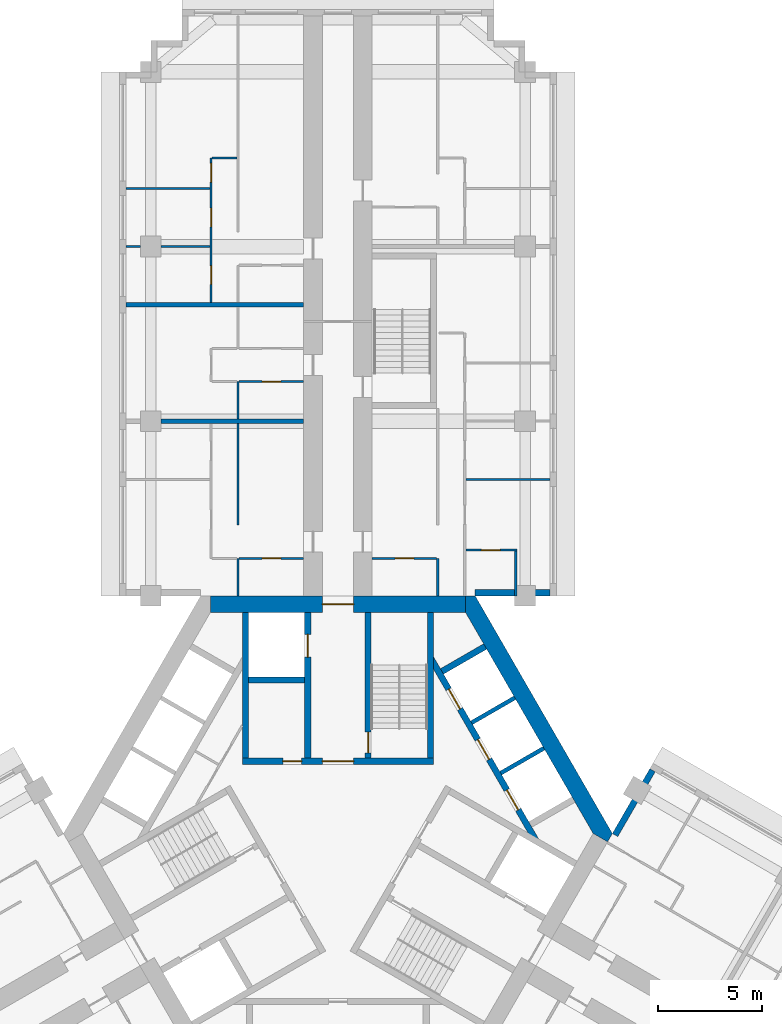
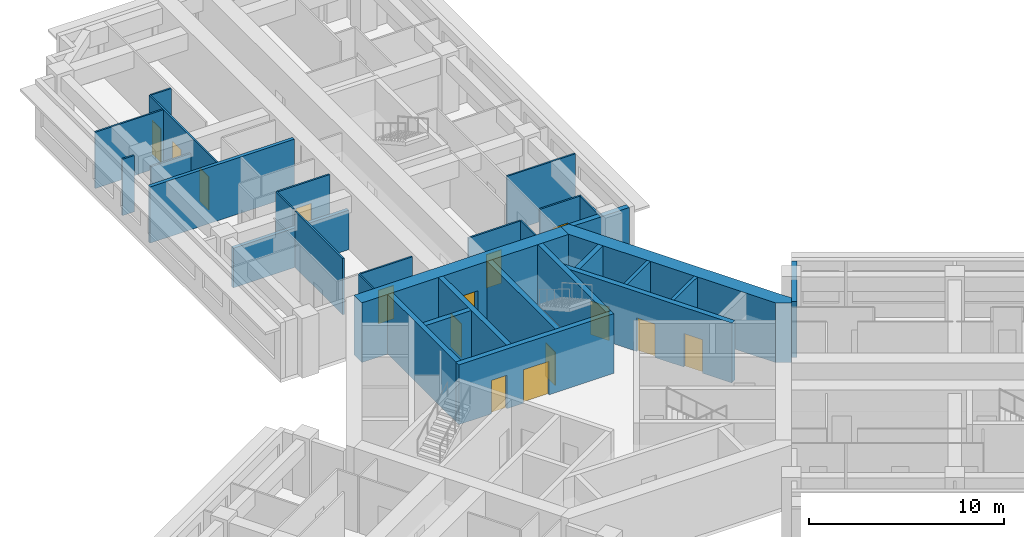
# One storey, part 8 of 13: 31 walls, 15 doors, 15 openings.
"""IFC4 building model written with IfcOpenShell, lengths in metres."""

import ifcopenshell
import ifcopenshell.guid

model = None  # the IFC model being written
_history = None  # IfcOwnerHistory: only IFC2X3 demands one
_inside = {}  # id of a spatial element -> (the spatial element, [elements in it])
_under = {}  # id of a project, library or spatial element -> (it, [spatial elements below it])
_declared = {}  # id of a project -> (the project, [libraries it declares])
_typed = {}  # id of a type object -> (the type object, [elements of that type])
_made_of = {}  # id of a material, layer set ... -> (it, [elements and type objects made of it])


def new_model(schema):
    """Start an empty IFC model of exactly this schema.

    Asked for "IFC4X3", IfcOpenShell would pick the latest addendum, in which some entities
    have other attributes; the version numbers below select the first issue.
    IFC2X3 requires an IfcOwnerHistory on every rooted entity: one is made here for all.
    """
    global model, _history
    if schema == "IFC4X3":
        model = ifcopenshell.file(schema_version=(4, 3, 0, 0))
    else:
        model = ifcopenshell.file(schema=schema)
    _inside.clear()
    _under.clear()
    _declared.clear()
    _typed.clear()
    _made_of.clear()
    _history = None
    if model.schema == "IFC2X3":
        org = make("IfcOrganization", Name="unknown")
        user = make(
            "IfcPersonAndOrganization",
            ThePerson=make("IfcPerson", FamilyName="unknown"),
            TheOrganization=org,
        )
        app = make(
            "IfcApplication",
            ApplicationDeveloper=org,
            Version="unknown",
            ApplicationFullName="unknown",
            ApplicationIdentifier="unknown",
        )
        _history = make(
            "IfcOwnerHistory",
            OwningUser=user,
            OwningApplication=app,
            ChangeAction="ADDED",
            CreationDate=0,
        )
    return model


def make(cls, **values):
    """One entity of the class cls with the attributes given. An attribute that is None is left unset."""
    return model.create_entity(
        cls, **{name: value for name, value in values.items() if value is not None}
    )


def rooted(cls, **values):
    """An entity with a GlobalId (a new one), such as an element, a storey or a relation."""
    return make(cls, GlobalId=ifcopenshell.guid.new(), OwnerHistory=_history, **values)


def si_unit(unit_type, name, prefix=None):
    """IfcSIUnit, for example si_unit("LENGTHUNIT", "METRE", prefix="MILLI")."""
    return make("IfcSIUnit", UnitType=unit_type, Prefix=prefix, Name=name)


def assignment(units):
    """IfcUnitAssignment: the units of a project."""
    return None if units is None else make("IfcUnitAssignment", Units=units)


def point(xyz):
    """IfcCartesianPoint."""
    return None if xyz is None else make("IfcCartesianPoint", Coordinates=xyz)


def direction(xyz):
    """IfcDirection."""
    return None if xyz is None else make("IfcDirection", DirectionRatios=xyz)


def frame(location, z_axis=None, x_axis=None):
    """IfcAxis2Placement3D, a coordinate frame: its origin and axes. An axis left out is left unset."""
    return make(
        "IfcAxis2Placement3D",
        Location=point(location),
        Axis=direction(z_axis),
        RefDirection=direction(x_axis),
    )


def frame_2d(location, x_axis=None):
    """IfcAxis2Placement2D, a coordinate frame in the plane: its origin and x axis."""
    return make(
        "IfcAxis2Placement2D", Location=point(location), RefDirection=direction(x_axis)
    )


def origin():
    """The frame at (0, 0, 0) with its axes left unset."""
    return frame((0.0, 0.0, 0.0))


def place(relative_to, where):
    """IfcLocalPlacement: puts the frame where relative to a parent placement (None: the world)."""
    return make(
        "IfcLocalPlacement", PlacementRelTo=relative_to, RelativePlacement=where
    )


def context(
    kind, dimensions, precision=None, world=None, true_north=None, identifier=None
):
    """IfcGeometricRepresentationContext, for example the 3D "Model" context."""
    return make(
        "IfcGeometricRepresentationContext",
        ContextIdentifier=identifier,
        ContextType=kind,
        CoordinateSpaceDimension=dimensions,
        Precision=precision,
        WorldCoordinateSystem=world,
        TrueNorth=true_north,
    )


def subcontext(parent, identifier, kind, view, scale=None):
    """IfcGeometricRepresentationSubContext, for example "Body" below "Model"."""
    return make(
        "IfcGeometricRepresentationSubContext",
        ContextIdentifier=identifier,
        ContextType=kind,
        ParentContext=parent,
        TargetScale=scale,
        TargetView=view,
    )


def project(units=None, contexts=None):
    """IfcProject with its units and contexts."""
    return rooted(
        "IfcProject",
        Name="project",
        RepresentationContexts=contexts,
        UnitsInContext=assignment(units),
    )


def spatial(cls, under=None, at=None, **own):
    """A site, building, storey or space (cls), placed at a placement, below another one or the project."""
    s = rooted(cls, ObjectPlacement=at, **own)
    if under is not None:
        _under.setdefault(under.id(), (under, []))[1].append(s)
    return s


def polyline(points):
    """IfcPolyline through the points."""
    return make("IfcPolyline", Points=[point(p) for p in points])


def profile(cls, at=None, kind="AREA", **sizes):
    """A parametric profile (cls). Its sizes go by their IFC names, for example OverallWidth=200.0."""
    return make(cls, ProfileType=kind, Position=at, **sizes)


def rectangle(**sizes):
    """IfcRectangleProfileDef."""
    return profile("IfcRectangleProfileDef", **sizes)


def outline(outer, holes=None, kind="AREA"):
    """IfcArbitraryClosedProfileDef: a profile drawn as a closed curve; with holes, ...WithVoids."""
    if holes is None:
        return make("IfcArbitraryClosedProfileDef", ProfileType=kind, OuterCurve=outer)
    return make(
        "IfcArbitraryProfileDefWithVoids",
        ProfileType=kind,
        OuterCurve=outer,
        InnerCurves=holes,
    )


def extrude(swept, where, along, depth):
    """IfcExtrudedAreaSolid: the profile swept, set in the frame where, extruded along a direction by depth."""
    return make(
        "IfcExtrudedAreaSolid",
        SweptArea=swept,
        Position=where,
        ExtrudedDirection=direction(along),
        Depth=depth,
    )


def shape(context_of_items, identifier, shape_type, items):
    """IfcShapeRepresentation: the items that make up one representation, for example the "Body"."""
    return make(
        "IfcShapeRepresentation",
        ContextOfItems=context_of_items,
        RepresentationIdentifier=identifier,
        RepresentationType=shape_type,
        Items=items,
    )


def material(Name=None, Category=None):
    """IfcMaterial."""
    return make("IfcMaterial", Name=Name, Category=Category)


def layer(
    of_material, thickness, ventilated=None, Name=None, Category=None, Priority=None
):
    """IfcMaterialLayer: one layer of a wall or slab, of a material (None: an air gap)."""
    return make(
        "IfcMaterialLayer",
        Material=of_material,
        LayerThickness=thickness,
        IsVentilated=ventilated,
        Name=Name,
        Category=Category,
        Priority=Priority,
    )


def layer_set(layers, Name=None):
    """IfcMaterialLayerSet."""
    return make("IfcMaterialLayerSet", MaterialLayers=layers, LayerSetName=Name)


def made_of(thing, what):
    """Note that an element or type object is made of a material, layer set ...; save() writes the relation."""
    if what is not None:
        _made_of.setdefault(what.id(), (what, []))[1].append(thing)
    return thing


def type_object(cls, material=None, **own):
    """A type object (cls), such as IfcWallType, which elements share."""
    return made_of(rooted(cls, **own), material)


def element(
    cls,
    number,
    at=None,
    inside=None,
    cuts=None,
    type_object=None,
    material=None,
    context=None,
    identifier="Body",
    shape_type=None,
    held_by="IfcProductDefinitionShape",
    body=None,
    shapes=None,
    **own,
):
    """One element of the class cls, such as IfcWall. Its Tag is "e" and its number.

    at: its placement. inside: the storey or other place that contains it. cuts: it is an
    opening in that element (IfcRelVoidsElement). A single representation is given by context,
    identifier, shape_type and body (its items); several are given by shapes. held_by: the class
    of the entity that holds the representations. save() writes the other relations.
    """
    e = rooted(cls, Tag="e%d" % number, ObjectPlacement=at, **own)
    if body is not None:
        shapes = [shape(context, identifier, shape_type, body)]
    if shapes is not None:
        e.Representation = make(held_by, Representations=shapes)
    if inside is not None:
        _inside.setdefault(inside.id(), (inside, []))[1].append(e)
    if cuts is not None:
        rooted(
            "IfcRelVoidsElement", RelatingBuildingElement=cuts, RelatedOpeningElement=e
        )
    if type_object is not None:
        _typed.setdefault(type_object.id(), (type_object, []))[1].append(e)
    return made_of(e, material)


def fill(opening, filler):
    """IfcRelFillsElement: the door or window that sits in an opening."""
    return rooted(
        "IfcRelFillsElement",
        RelatingOpeningElement=opening,
        RelatedBuildingElement=filler,
    )


def aggregate(whole, parts):
    """IfcRelAggregates: a whole, such as a stair, and the parts it consists of."""
    return rooted("IfcRelAggregates", RelatingObject=whole, RelatedObjects=parts)


def save(model, path):
    """Write the relations noted so far, then the file.

    IfcRelAggregates (storeys below a building ...), IfcRelContainedInSpatialStructure (elements
    in a storey), IfcRelDefinesByType, IfcRelAssociatesMaterial and IfcRelDeclares: one each for
    every whole, place, type object, material and project.
    """
    for whole, parts in _under.values():
        aggregate(whole, parts)
    for where, things in _inside.values():
        rooted(
            "IfcRelContainedInSpatialStructure",
            RelatedElements=things,
            RelatingStructure=where,
        )
    for kind, things in _typed.values():
        rooted("IfcRelDefinesByType", RelatedObjects=things, RelatingType=kind)
    for what, things in _made_of.values():
        rooted("IfcRelAssociatesMaterial", RelatedObjects=things, RelatingMaterial=what)
    for by, libraries in _declared.values():
        rooted("IfcRelDeclares", RelatingContext=by, RelatedDefinitions=libraries)
    model.write(path)


model = new_model("IFC4")

# Units and contexts
model_context = context("Model", 3, precision=1e-05, world=origin(), true_north=direction((0.0, 1.0)))
body_context = subcontext(model_context, "Body", "Model", "MODEL_VIEW")
ifc_project = project(units=[si_unit("LENGTHUNIT", "METRE"), si_unit("AREAUNIT", "SQUARE_METRE"), si_unit("VOLUMEUNIT", "CUBIC_METRE"), si_unit("PLANEANGLEUNIT", "RADIAN"), si_unit("MASSUNIT", "GRAM", prefix="KILO")], contexts=[model_context])

# Site, building, storey
site_placement = place(None, origin())
site = spatial("IfcSite", under=ifc_project, at=site_placement, CompositionType="ELEMENT")
building_placement = place(site_placement, origin())
building = spatial("IfcBuilding", under=site, at=building_placement, Name="Impinga Residences", CompositionType="ELEMENT")
storey_placement = place(building_placement, frame((0.0, 0.0, 139.75)))
storey = spatial("IfcBuildingStorey", under=building, at=storey_placement, Name="L34", CompositionType="ELEMENT", Elevation=139.75)

# Walls
ifc_material_1 = material(Name="Terracotta rainscreen on blockwork", Category="masonry")
ifc_layer_1 = layer(ifc_material_1, 0.300048828125)
ifc_layer_set_1 = layer_set([ifc_layer_1], Name="EW1 external wall, terracotta rainscreen on blockwork 300")
wall_type_1 = type_object("IfcWallType", Name="EW1 external wall, terracotta rainscreen on blockwork 300", PredefinedType="SOLIDWALL", material=ifc_layer_set_1)
wall_1_placement = place(storey_placement, frame((10.199951171875, 11.58154296875, 0.0), z_axis=(0.0, 0.0, 1.0), x_axis=(-1.0, 0.0, 0.0)))
element("IfcWall", 1, at=wall_1_placement, inside=storey, type_object=wall_type_1, Name="External wall EW1 L34", PredefinedType="SOLIDWALL", context=body_context, shape_type="SweptSolid", body=[
    extrude(rectangle(XDim=3.599853515625, YDim=0.300048828125, at=frame_2d((1.7998046875, 0.0))), origin(), (0.0, 0.0, 1.0), 3.530029296875),
])
wall_2_placement = place(storey_placement, frame((13.329833984375, -0.074951171875, 0.0), z_axis=(0.0, 0.0, 1.0), x_axis=(0.500012057535, 0.866018442252, 0.0)))
element("IfcWall", 2, at=wall_2_placement, inside=storey, type_object=wall_type_1, Name="External wall EW1 L34", PredefinedType="SOLIDWALL", context=body_context, shape_type="SweptSolid", body=[
    extrude(rectangle(XDim=3.60009765625, YDim=0.300048828125, at=frame_2d((1.800048828125, 0.0))), origin(), (0.0, 0.0, 1.0), 3.530029296875),
])
ifc_material_2 = material(Name="Gypsum board on steel studs", Category="steel")
ifc_layer_2 = layer(ifc_material_2, 0.10009765625)
ifc_layer_set_2 = layer_set([ifc_layer_2], Name="Gypsum board on steel studs")
wall_type_2 = type_object("IfcWallType", Name="IP1 partition 100", PredefinedType="PARTITIONING", material=ifc_layer_set_2)
wall_3_placement = place(storey_placement, frame((-4.800048828125, 11.431640625, 0.0), z_axis=(0.0, 0.0, 1.0), x_axis=(0.0, 1.0, 0.0)))
element("IfcWall", 3, at=wall_3_placement, inside=storey, type_object=wall_type_2, Name="Partition L34-NA1:DIV0", PredefinedType="PARTITIONING", context=body_context, shape_type="SweptSolid", body=[
    extrude(rectangle(XDim=1.7998046875, YDim=0.10009765625, at=frame_2d((0.89990234375, 0.0))), origin(), (0.0, 0.0, 1.0), 3.530029296875),
])
wall_4_placement = place(storey_placement, frame((-4.800048828125, 14.83154296875, 0.0), z_axis=(0.0, 0.0, 1.0), x_axis=(0.0, 1.0, 0.0)))
element("IfcWall", 4, at=wall_4_placement, inside=storey, type_object=wall_type_2, Name="Partition L34-NA1:DIV1", PredefinedType="PARTITIONING", context=body_context, shape_type="SweptSolid", body=[
    extrude(rectangle(XDim=4.89990234375, YDim=0.10009765625, at=frame_2d((2.449951171875, 0.0))), origin(), (0.0, 0.0, 1.0), 3.530029296875),
])

# Wall, opening, door
wall_5_placement = place(storey_placement, frame((-1.64990234375, 13.2314453125, 0.0), z_axis=(0.0, 0.0, 1.0), x_axis=(-1.0, 0.0, 0.0)))
wall_5 = element("IfcWall", 5, at=wall_5_placement, inside=storey, type_object=wall_type_2, Name="Partition L34-NA1:IB1", PredefinedType="PARTITIONING", context=body_context, shape_type="SweptSolid", body=[
    extrude(rectangle(XDim=3.10009765625, YDim=0.10009765625, at=frame_2d((1.550048828125, 0.0))), origin(), (0.0, 0.0, 1.0), 3.530029296875),
])
opening_1_placement = place(wall_5_placement, frame((1.10009765625, 0.0, 0.0)))
opening_1 = element("IfcOpeningElement", 6, at=opening_1_placement, cuts=wall_5, Name="Opening D2", PredefinedType="OPENING", context=body_context, shape_type="SweptSolid", body=[
    extrude(rectangle(XDim=0.89990234375, YDim=2.10009765625, at=frame_2d((0.449951171875, 1.050048828125))), frame((0.0, 0.06005859375, 0.0), z_axis=(0.0, -1.0, 0.0), x_axis=(1.0, 0.0, 0.0)), (0.0, 0.0, 1.0), 0.1201171875),
])
ifc_material_3 = material(Name="Timber door set", Category="wood")
door_type_1 = type_object("IfcDoorType", Name="D2 internal door 900x2100", OperationType="SINGLE_SWING_LEFT", PredefinedType="DOOR", material=ifc_material_3)
door_1_placement = place(opening_1_placement, origin())
door_1 = element("IfcDoor", 7, at=door_1_placement, inside=storey, type_object=door_type_1, Name="Apartment L34-NA1 bathroom door", OperationType="SINGLE_SWING_LEFT", OverallHeight=2.10009765625, OverallWidth=0.89990234375, PredefinedType="DOOR", context=body_context, shape_type="SweptSolid", body=[
    extrude(rectangle(XDim=0.89990234375, YDim=2.10009765625, at=frame_2d((0.449951171875, 1.050048828125))), frame((0.0, 0.02490234375, 0.0), z_axis=(0.0, -1.0, 0.0), x_axis=(1.0, 0.0, 0.0)), (0.0, 0.0, 1.0), 0.050048828125),
])
fill(opening_1, door_1)

# Wall
wall_6_placement = place(storey_placement, frame((-4.800048828125, 19.931640625, 0.0), z_axis=(0.0, 0.0, 1.0), x_axis=(0.0, 1.0, 0.0)))
element("IfcWall", 8, at=wall_6_placement, inside=storey, type_object=wall_type_2, Name="Partition L34-NA2:DIV0", PredefinedType="PARTITIONING", context=body_context, shape_type="SweptSolid", body=[
    extrude(rectangle(XDim=1.7998046875, YDim=0.10009765625, at=frame_2d((0.89990234375, 0.0))), origin(), (0.0, 0.0, 1.0), 3.530029296875),
])

# Wall, opening, door
wall_7_placement = place(storey_placement, frame((-1.64990234375, 21.7314453125, 0.0), z_axis=(0.0, 0.0, 1.0), x_axis=(-1.0, 0.0, 0.0)))
wall_7 = element("IfcWall", 9, at=wall_7_placement, inside=storey, type_object=wall_type_2, Name="Partition L34-NA2:IB1", PredefinedType="PARTITIONING", context=body_context, shape_type="SweptSolid", body=[
    extrude(rectangle(XDim=3.10009765625, YDim=0.10009765625, at=frame_2d((1.550048828125, 0.0))), origin(), (0.0, 0.0, 1.0), 3.530029296875),
])
opening_2_placement = place(wall_7_placement, frame((1.10009765625, 0.0, 0.0)))
opening_2 = element("IfcOpeningElement", 10, at=opening_2_placement, cuts=wall_7, Name="Opening D2", PredefinedType="OPENING", context=body_context, shape_type="SweptSolid", body=[
    extrude(rectangle(XDim=0.89990234375, YDim=2.10009765625, at=frame_2d((0.449951171875, 1.050048828125))), frame((0.0, 0.06005859375, 0.0), z_axis=(0.0, -1.0, 0.0), x_axis=(1.0, 0.0, 0.0)), (0.0, 0.0, 1.0), 0.1201171875),
])
door_2_placement = place(opening_2_placement, origin())
door_2 = element("IfcDoor", 11, at=door_2_placement, inside=storey, type_object=door_type_1, Name="Apartment L34-NA2 bathroom door", OperationType="SINGLE_SWING_LEFT", OverallHeight=2.10009765625, OverallWidth=0.89990234375, PredefinedType="DOOR", context=body_context, shape_type="SweptSolid", body=[
    extrude(rectangle(XDim=0.89990234375, YDim=2.10009765625, at=frame_2d((0.449951171875, 1.050048828125))), frame((0.0, 0.02490234375, 0.0), z_axis=(0.0, -1.0, 0.0), x_axis=(1.0, 0.0, 0.0)), (0.0, 0.0, 1.0), 0.050048828125),
])
fill(opening_2, door_2)

# Wall, openings, doors
wall_8_placement = place(storey_placement, frame((-6.10009765625, 25.531494140625, 0.0), z_axis=(0.0, 0.0, 1.0), x_axis=(0.0, 1.0, 0.0)))
wall_8 = element("IfcWall", 12, at=wall_8_placement, inside=storey, type_object=wall_type_2, Name="Partition L34-NA3:STRIP", PredefinedType="PARTITIONING", context=body_context, shape_type="SweptSolid", body=[
    extrude(rectangle(XDim=6.949951171875, YDim=0.10009765625, at=frame_2d((3.47509765625, 0.0))), origin(), (0.0, 0.0, 1.0), 3.530029296875),
])
opening_3_placement = place(wall_8_placement, frame((0.875, 0.0, 0.0)))
opening_3 = element("IfcOpeningElement", 13, at=opening_3_placement, cuts=wall_8, Name="Opening D2", PredefinedType="OPENING", context=body_context, shape_type="SweptSolid", body=[
    extrude(rectangle(XDim=0.89990234375, YDim=2.10009765625, at=frame_2d((0.449951171875, 1.050048828125))), frame((0.0, 0.06005859375, 0.0), z_axis=(0.0, -1.0, 0.0), x_axis=(1.0, 0.0, 0.0)), (0.0, 0.0, 1.0), 0.1201171875),
])
opening_4_placement = place(wall_8_placement, frame((3.64990234375, 0.0, 0.0)))
opening_4 = element("IfcOpeningElement", 14, at=opening_4_placement, cuts=wall_8, Name="Opening D2", PredefinedType="OPENING", context=body_context, shape_type="SweptSolid", body=[
    extrude(rectangle(XDim=0.89990234375, YDim=2.10009765625, at=frame_2d((0.449951171875, 1.050048828125))), frame((0.0, 0.06005859375, 0.0), z_axis=(0.0, -1.0, 0.0), x_axis=(1.0, 0.0, 0.0)), (0.0, 0.0, 1.0), 0.1201171875),
])
opening_5_placement = place(wall_8_placement, frame((5.800048828125, 0.0, 0.0)))
opening_5 = element("IfcOpeningElement", 15, at=opening_5_placement, cuts=wall_8, Name="Opening D2", PredefinedType="OPENING", context=body_context, shape_type="SweptSolid", body=[
    extrude(rectangle(XDim=0.89990234375, YDim=2.10009765625, at=frame_2d((0.449951171875, 1.050048828125))), frame((0.0, 0.06005859375, 0.0), z_axis=(0.0, -1.0, 0.0), x_axis=(1.0, 0.0, 0.0)), (0.0, 0.0, 1.0), 0.1201171875),
])
door_3_placement = place(opening_3_placement, origin())
door_3 = element("IfcDoor", 16, at=door_3_placement, inside=storey, type_object=door_type_1, Name="Apartment L34-NA3 room door", OperationType="SINGLE_SWING_LEFT", OverallHeight=2.10009765625, OverallWidth=0.89990234375, PredefinedType="DOOR", context=body_context, shape_type="SweptSolid", body=[
    extrude(rectangle(XDim=0.89990234375, YDim=2.10009765625, at=frame_2d((0.449951171875, 1.050048828125))), frame((0.0, 0.02490234375, 0.0), z_axis=(0.0, -1.0, 0.0), x_axis=(1.0, 0.0, 0.0)), (0.0, 0.0, 1.0), 0.050048828125),
])
fill(opening_3, door_3)
door_4_placement = place(opening_4_placement, origin())
door_4 = element("IfcDoor", 17, at=door_4_placement, inside=storey, type_object=door_type_1, Name="Apartment L34-NA3 room door", OperationType="SINGLE_SWING_RIGHT", OverallHeight=2.10009765625, OverallWidth=0.89990234375, PredefinedType="DOOR", context=body_context, shape_type="SweptSolid", body=[
    extrude(rectangle(XDim=0.89990234375, YDim=2.10009765625, at=frame_2d((0.449951171875, 1.050048828125))), frame((0.0, 0.02490234375, 0.0), z_axis=(0.0, -1.0, 0.0), x_axis=(1.0, 0.0, 0.0)), (0.0, 0.0, 1.0), 0.050048828125),
])
fill(opening_4, door_4)
door_5_placement = place(opening_5_placement, origin())
door_5 = element("IfcDoor", 18, at=door_5_placement, inside=storey, type_object=door_type_1, Name="Apartment L34-NA3 room door", OperationType="SINGLE_SWING_RIGHT", OverallHeight=2.10009765625, OverallWidth=0.89990234375, PredefinedType="DOOR", context=body_context, shape_type="SweptSolid", body=[
    extrude(rectangle(XDim=0.89990234375, YDim=2.10009765625, at=frame_2d((0.449951171875, 1.050048828125))), frame((0.0, 0.02490234375, 0.0), z_axis=(0.0, -1.0, 0.0), x_axis=(1.0, 0.0, 0.0)), (0.0, 0.0, 1.0), 0.050048828125),
])
fill(opening_5, door_5)

# Walls
wall_9_placement = place(storey_placement, frame((-4.85009765625, 32.4814453125, 0.0), z_axis=(0.0, 0.0, 1.0), x_axis=(-1.0, 0.0, 0.0)))
element("IfcWall", 19, at=wall_9_placement, inside=storey, type_object=wall_type_2, Name="Partition L34-NA3:SE1", PredefinedType="PARTITIONING", context=body_context, shape_type="SweptSolid", body=[
    extrude(rectangle(XDim=1.199951171875, YDim=0.10009765625, at=frame_2d((0.60009765625, 0.0))), origin(), (0.0, 0.0, 1.0), 3.530029296875),
])
wall_10_placement = place(storey_placement, frame((-6.14990234375, 28.2314453125, 0.0), z_axis=(0.0, 0.0, 1.0), x_axis=(-1.0, 0.0, 0.0)))
element("IfcWall", 20, at=wall_10_placement, inside=storey, type_object=wall_type_2, Name="Partition L34-NA3:OB1", PredefinedType="PARTITIONING", context=body_context, shape_type="SweptSolid", body=[
    extrude(rectangle(XDim=2.35009765625, YDim=0.10009765625, at=frame_2d((1.175048828125, 0.0))), origin(), (0.0, 0.0, 1.0), 2.47998046875),
])
wall_11_placement = place(storey_placement, frame((-9.5, 28.2314453125, 0.0), z_axis=(0.0, 0.0, 1.0), x_axis=(-1.0, 0.0, 0.0)))
element("IfcWall", 21, at=wall_11_placement, inside=storey, type_object=wall_type_2, Name="Partition L34-NA3:OB1b", PredefinedType="PARTITIONING", context=body_context, shape_type="SweptSolid", body=[
    extrude(rectangle(XDim=0.699951171875, YDim=0.10009765625, at=frame_2d((0.35009765625, 0.0))), origin(), (0.0, 0.0, 1.0), 3.530029296875),
])
wall_12_placement = place(storey_placement, frame((-6.14990234375, 31.031494140625, 0.0), z_axis=(0.0, 0.0, 1.0), x_axis=(-1.0, 0.0, 0.0)))
element("IfcWall", 22, at=wall_12_placement, inside=storey, type_object=wall_type_2, Name="Partition L34-NA3:OB2", PredefinedType="PARTITIONING", context=body_context, shape_type="SweptSolid", body=[
    extrude(rectangle(XDim=4.050048828125, YDim=0.10009765625, at=frame_2d((2.02490234375, 0.0))), origin(), (0.0, 0.0, 1.0), 3.530029296875),
])
wall_13_placement = place(storey_placement, frame((4.800048828125, 11.431640625, 0.0), z_axis=(0.0, 0.0, 1.0), x_axis=(0.0, 1.0, 0.0)))
element("IfcWall", 23, at=wall_13_placement, inside=storey, type_object=wall_type_2, Name="Partition L34-NF1:DIV0", PredefinedType="PARTITIONING", context=body_context, shape_type="SweptSolid", body=[
    extrude(rectangle(XDim=1.7998046875, YDim=0.10009765625, at=frame_2d((0.89990234375, 0.0))), origin(), (0.0, 0.0, 1.0), 3.530029296875),
])

# Wall, opening, door
wall_14_placement = place(storey_placement, frame((1.64990234375, 13.2314453125, 0.0), z_axis=(0.0, 0.0, 1.0), x_axis=(1.0, 0.0, 0.0)))
wall_14 = element("IfcWall", 24, at=wall_14_placement, inside=storey, type_object=wall_type_2, Name="Partition L34-NF1:IB1", PredefinedType="PARTITIONING", context=body_context, shape_type="SweptSolid", body=[
    extrude(rectangle(XDim=3.10009765625, YDim=0.10009765625, at=frame_2d((1.550048828125, 0.0))), origin(), (0.0, 0.0, 1.0), 3.530029296875),
])
opening_6_placement = place(wall_14_placement, frame((1.10009765625, 0.0, 0.0)))
opening_6 = element("IfcOpeningElement", 25, at=opening_6_placement, cuts=wall_14, Name="Opening D2", PredefinedType="OPENING", context=body_context, shape_type="SweptSolid", body=[
    extrude(rectangle(XDim=0.89990234375, YDim=2.10009765625, at=frame_2d((0.449951171875, 1.050048828125))), frame((0.0, 0.06005859375, 0.0), z_axis=(0.0, -1.0, 0.0), x_axis=(1.0, 0.0, 0.0)), (0.0, 0.0, 1.0), 0.1201171875),
])
door_6_placement = place(opening_6_placement, origin())
door_6 = element("IfcDoor", 26, at=door_6_placement, inside=storey, type_object=door_type_1, Name="Apartment L34-NF1 bathroom door", OperationType="SINGLE_SWING_LEFT", OverallHeight=2.10009765625, OverallWidth=0.89990234375, PredefinedType="DOOR", context=body_context, shape_type="SweptSolid", body=[
    extrude(rectangle(XDim=0.89990234375, YDim=2.10009765625, at=frame_2d((0.449951171875, 1.050048828125))), frame((0.0, 0.02490234375, 0.0), z_axis=(0.0, -1.0, 0.0), x_axis=(1.0, 0.0, 0.0)), (0.0, 0.0, 1.0), 0.050048828125),
])
fill(opening_6, door_6)

# Wall
wall_15_placement = place(storey_placement, frame((6.14990234375, 17.031494140625, 0.0), z_axis=(0.0, 0.0, 1.0), x_axis=(1.0, 0.0, 0.0)))
element("IfcWall", 27, at=wall_15_placement, inside=storey, type_object=wall_type_2, Name="Partition L34-NF1:OB1", PredefinedType="PARTITIONING", context=body_context, shape_type="SweptSolid", body=[
    extrude(rectangle(XDim=4.050048828125, YDim=0.10009765625, at=frame_2d((2.02490234375, 0.0))), origin(), (0.0, 0.0, 1.0), 3.530029296875),
])

# Wall, opening, door
wall_16_placement = place(storey_placement, frame((6.14990234375, 13.631591796875, 0.0), z_axis=(0.0, 0.0, 1.0), x_axis=(1.0, 0.0, 0.0)))
wall_16 = element("IfcWall", 28, at=wall_16_placement, inside=storey, type_object=wall_type_2, Name="Partition L34-NF1:EN1", PredefinedType="PARTITIONING", context=body_context, shape_type="SweptSolid", body=[
    extrude(rectangle(XDim=2.4501953125, YDim=0.10009765625, at=frame_2d((1.22509765625, 0.0))), origin(), (0.0, 0.0, 1.0), 3.530029296875),
])
opening_7_placement = place(wall_16_placement, frame((0.75, 0.0, 0.0)))
opening_7 = element("IfcOpeningElement", 29, at=opening_7_placement, cuts=wall_16, Name="Opening D2", PredefinedType="OPENING", context=body_context, shape_type="SweptSolid", body=[
    extrude(rectangle(XDim=0.89990234375, YDim=2.10009765625, at=frame_2d((0.449951171875, 1.050048828125))), frame((0.0, 0.06005859375, 0.0), z_axis=(0.0, -1.0, 0.0), x_axis=(1.0, 0.0, 0.0)), (0.0, 0.0, 1.0), 0.1201171875),
])
door_7_placement = place(opening_7_placement, origin())
door_7 = element("IfcDoor", 30, at=door_7_placement, inside=storey, type_object=door_type_1, Name="Apartment L34-NF1 en-suite door", OperationType="SINGLE_SWING_LEFT", OverallHeight=2.10009765625, OverallWidth=0.89990234375, PredefinedType="DOOR", context=body_context, shape_type="SweptSolid", body=[
    extrude(rectangle(XDim=0.89990234375, YDim=2.10009765625, at=frame_2d((0.449951171875, 1.050048828125))), frame((0.0, 0.02490234375, 0.0), z_axis=(0.0, -1.0, 0.0), x_axis=(1.0, 0.0, 0.0)), (0.0, 0.0, 1.0), 0.050048828125),
])
fill(opening_7, door_7)

# Walls
wall_17_placement = place(storey_placement, frame((8.550048828125, 11.431640625, 0.0), z_axis=(0.0, 0.0, 1.0), x_axis=(0.0, 1.0, 0.0)))
element("IfcWall", 31, at=wall_17_placement, inside=storey, type_object=wall_type_2, Name="Partition L34-NF1:EN2", PredefinedType="PARTITIONING", context=body_context, shape_type="SweptSolid", body=[
    extrude(rectangle(XDim=2.14990234375, YDim=0.10009765625, at=frame_2d((1.074951171875, 0.0))), origin(), (0.0, 0.0, 1.0), 3.530029296875),
])
ifc_material_4 = material(Name="Concrete blockwork", Category="masonry")
ifc_layer_3 = layer(ifc_material_4, 0.199951171875)
ifc_layer_set_3 = layer_set([ifc_layer_3], Name="PW1 party wall between apartments 200")
wall_type_3 = type_object("IfcWallType", Name="PW1 party wall between apartments 200", PredefinedType="SOLIDWALL", material=ifc_layer_set_3)
wall_18_placement = place(storey_placement, frame((-1.64990234375, 19.83154296875, 0.0), z_axis=(0.0, 0.0, 1.0), x_axis=(-1.0, 0.0, 0.0)))
element("IfcWall", 32, at=wall_18_placement, inside=storey, type_object=wall_type_3, Name="Party wall between apartments L34-NA1:PARTY", PredefinedType="SOLIDWALL", context=body_context, shape_type="SweptSolid", body=[
    extrude(rectangle(XDim=6.85009765625, YDim=0.199951171875, at=frame_2d((3.425048828125, 0.0))), origin(), (0.0, 0.0, 1.0), 2.47998046875),
])
wall_19_placement = place(storey_placement, frame((-1.64990234375, 25.431640625, 0.0), z_axis=(0.0, 0.0, 1.0), x_axis=(-1.0, 0.0, 0.0)))
element("IfcWall", 33, at=wall_19_placement, inside=storey, type_object=wall_type_3, Name="Party wall between apartments L34-NA2:PARTY", PredefinedType="SOLIDWALL", context=body_context, shape_type="SweptSolid", body=[
    extrude(rectangle(XDim=8.550048828125, YDim=0.199951171875, at=frame_2d((4.27490234375, 0.0))), origin(), (0.0, 0.0, 1.0), 3.530029296875),
])

# Wall, opening, door
ifc_material_5 = material(Name="Concrete C60/75", Category="concrete")
ifc_layer_4 = layer(ifc_material_5, 0.800048828125)
ifc_layer_set_4 = layer_set([ifc_layer_4], Name="Concrete C60/75")
wall_type_4 = type_object("IfcWallType", Name="SW2 core wall 800", PredefinedType="SHEAR", material=ifc_layer_set_4)
wall_20_placement = place(storey_placement, frame((-6.13818359375, 11.031494140625, 0.0), z_axis=(0.0, 0.0, 1.0), x_axis=(1.0, 0.0, 0.0)))
wall_20 = element("IfcWall", 34, at=wall_20_placement, inside=storey, type_object=wall_type_4, Name="Core wall SW2 N:FACE L34", PredefinedType="SHEAR", context=body_context, shape_type="SweptSolid", body=[
    extrude(rectangle(XDim=12.2763671875, YDim=0.800048828125, at=frame_2d((6.13818359375, 0.0))), origin(), (0.0, 0.0, 1.0), 3.75),
])
opening_8_placement = place(wall_20_placement, frame((5.38818359375, 0.0, 0.0)))
opening_8 = element("IfcOpeningElement", 35, at=opening_8_placement, cuts=wall_20, Name="Opening D4", PredefinedType="OPENING", context=body_context, shape_type="SweptSolid", body=[
    extrude(rectangle(XDim=1.5, YDim=2.10009765625, at=frame_2d((0.75, 1.050048828125))), frame((0.0, 0.409912109375, 0.0), z_axis=(0.0, -1.0, 0.0), x_axis=(1.0, 0.0, 0.0)), (0.0, 0.0, 1.0), 0.820068359375),
])
door_type_2 = type_object("IfcDoorType", Name="D4 lobby door pair 1500x2100", OperationType="DOUBLE_DOOR_DOUBLE_SWING", PredefinedType="DOOR", material=ifc_material_3)
door_8_placement = place(opening_8_placement, origin())
door_8 = element("IfcDoor", 36, at=door_8_placement, inside=storey, type_object=door_type_2, Name="Lobby door N", OperationType="DOUBLE_DOOR_DOUBLE_SWING", OverallHeight=2.10009765625, OverallWidth=1.5, PredefinedType="DOOR", context=body_context, shape_type="SweptSolid", body=[
    extrude(rectangle(XDim=1.5, YDim=2.10009765625, at=frame_2d((0.75, 1.050048828125))), frame((0.0, 0.02490234375, 0.0), z_axis=(0.0, -1.0, 0.0), x_axis=(1.0, 0.0, 0.0)), (0.0, 0.0, 1.0), 0.050048828125),
])
fill(opening_8, door_8)

# Wall
wall_21_placement = place(storey_placement, origin())
element("IfcWall", 37, at=wall_21_placement, inside=storey, type_object=wall_type_4, Name="Core wall SW2 W:EXPOSED L34", PredefinedType="SHEAR", context=body_context, shape_type="SweptSolid", body=[
    extrude(outline(polyline([(13.199951171875, 0.0), (6.60009765625, 11.431640625), (6.13818359375, 11.431640625), (6.13818359375, 10.631591796875), (12.276123046875, 0.0), (12.968994140625, -0.39990234375), (13.199951171875, 0.0)])), origin(), (0.0, 0.0, 1.0), 3.75),
])

# Wall, openings, doors
ifc_material_6 = material(Name="Concrete C70/85", Category="concrete")
ifc_layer_5 = layer(ifc_material_6, 0.300048828125)
ifc_layer_set_5 = layer_set([ifc_layer_5], Name="Concrete C70/85")
wall_type_5 = type_object("IfcWallType", Name="SW5 core inner wall, stairs, shafts and lobbies 300", PredefinedType="SHEAR", material=ifc_layer_set_5)
wall_22_placement = place(storey_placement, frame((-4.60009765625, 3.47998046875, 0.0), z_axis=(0.0, 0.0, 1.0), x_axis=(1.0, 0.0, 0.0)))
wall_22 = element("IfcWall", 38, at=wall_22_placement, inside=storey, type_object=wall_type_5, Name="Core wall SW5 N:ZONE L34", PredefinedType="SHEAR", context=body_context, shape_type="SweptSolid", body=[
    extrude(rectangle(XDim=9.2001953125, YDim=0.300048828125, at=frame_2d((4.60009765625, 0.0))), origin(), (0.0, 0.0, 1.0), 3.75),
])
opening_9_placement = place(wall_22_placement, frame((3.85009765625, 0.0, 0.0)))
opening_9 = element("IfcOpeningElement", 39, at=opening_9_placement, cuts=wall_22, Name="Opening D4", PredefinedType="OPENING", context=body_context, shape_type="SweptSolid", body=[
    extrude(rectangle(XDim=1.5, YDim=2.10009765625, at=frame_2d((0.75, 1.050048828125))), frame((0.0, 0.159912109375, 0.0), z_axis=(0.0, -1.0, 0.0), x_axis=(1.0, 0.0, 0.0)), (0.0, 0.0, 1.0), 0.320068359375),
])
opening_10_placement = place(wall_22_placement, frame((1.949951171875, 0.0, 0.0)))
opening_10 = element("IfcOpeningElement", 40, at=opening_10_placement, cuts=wall_22, Name="Opening D6", PredefinedType="OPENING", context=body_context, shape_type="SweptSolid", body=[
    extrude(rectangle(XDim=0.89990234375, YDim=2.10009765625, at=frame_2d((0.449951171875, 1.050048828125))), frame((0.0, 0.159912109375, 0.0), z_axis=(0.0, -1.0, 0.0), x_axis=(1.0, 0.0, 0.0)), (0.0, 0.0, 1.0), 0.320068359375),
])
door_9_placement = place(opening_9_placement, origin())
door_9 = element("IfcDoor", 41, at=door_9_placement, inside=storey, type_object=door_type_2, Name="Firefighting lobby door N", OperationType="DOUBLE_DOOR_DOUBLE_SWING", OverallHeight=2.10009765625, OverallWidth=1.5, PredefinedType="DOOR", context=body_context, shape_type="SweptSolid", body=[
    extrude(rectangle(XDim=1.5, YDim=2.10009765625, at=frame_2d((0.75, 1.050048828125))), frame((0.0, 0.02490234375, 0.0), z_axis=(0.0, -1.0, 0.0), x_axis=(1.0, 0.0, 0.0)), (0.0, 0.0, 1.0), 0.050048828125),
])
fill(opening_9, door_9)
door_type_3 = type_object("IfcDoorType", Name="D6 riser and store door 900x2100", OperationType="SINGLE_SWING_LEFT", PredefinedType="DOOR", material=ifc_material_3)
door_10_placement = place(opening_10_placement, origin())
door_10 = element("IfcDoor", 42, at=door_10_placement, inside=storey, type_object=door_type_3, Name="Riser door N", OperationType="SINGLE_SWING_LEFT", OverallHeight=2.10009765625, OverallWidth=0.89990234375, PredefinedType="DOOR", context=body_context, shape_type="SweptSolid", body=[
    extrude(rectangle(XDim=0.89990234375, YDim=2.10009765625, at=frame_2d((0.449951171875, 1.050048828125))), frame((0.0, 0.02490234375, 0.0), z_axis=(0.0, -1.0, 0.0), x_axis=(1.0, 0.0, 0.0)), (0.0, 0.0, 1.0), 0.050048828125),
])
fill(opening_10, door_10)

# Wall, opening, door
wall_23_placement = place(storey_placement, frame((1.449951171875, 3.6298828125, 0.0), z_axis=(0.0, 0.0, 1.0), x_axis=(0.0, 1.0, 0.0)))
wall_23 = element("IfcWall", 43, at=wall_23_placement, inside=storey, type_object=wall_type_5, Name="Core wall SW5 N:ST-IN L34", PredefinedType="SHEAR", context=body_context, shape_type="SweptSolid", body=[
    extrude(rectangle(XDim=7.001708984375, YDim=0.300048828125, at=frame_2d((3.5009765625, 0.0))), origin(), (0.0, 0.0, 1.0), 3.75),
])
opening_11_placement = place(wall_23_placement, frame((0.25, 0.0, 0.0)))
opening_11 = element("IfcOpeningElement", 44, at=opening_11_placement, cuts=wall_23, Name="Opening D5", PredefinedType="OPENING", context=body_context, shape_type="SweptSolid", body=[
    extrude(rectangle(XDim=1.0, YDim=2.10009765625, at=frame_2d((0.5, 1.050048828125))), frame((0.0, 0.159912109375, 0.0), z_axis=(0.0, -1.0, 0.0), x_axis=(1.0, 0.0, 0.0)), (0.0, 0.0, 1.0), 0.320068359375),
])
door_type_4 = type_object("IfcDoorType", Name="D5 stair door 1000x2100", OperationType="SINGLE_SWING_LEFT", PredefinedType="DOOR", material=ifc_material_3)
door_11_placement = place(opening_11_placement, origin())
door_11 = element("IfcDoor", 45, at=door_11_placement, inside=storey, type_object=door_type_4, Name="Stair door N", OperationType="SINGLE_SWING_LEFT", OverallHeight=2.10009765625, OverallWidth=1.0, PredefinedType="DOOR", context=body_context, shape_type="SweptSolid", body=[
    extrude(rectangle(XDim=1.0, YDim=2.10009765625, at=frame_2d((0.5, 1.050048828125))), frame((0.0, 0.02490234375, 0.0), z_axis=(0.0, -1.0, 0.0), x_axis=(1.0, 0.0, 0.0)), (0.0, 0.0, 1.0), 0.050048828125),
])
fill(opening_11, door_11)

# Wall
wall_24_placement = place(storey_placement, frame((4.449951171875, 3.6298828125, 0.0), z_axis=(0.0, 0.0, 1.0), x_axis=(0.0, 1.0, 0.0)))
element("IfcWall", 46, at=wall_24_placement, inside=storey, type_object=wall_type_5, Name="Core wall SW5 N:ST-OUT L34", PredefinedType="SHEAR", context=body_context, shape_type="SweptSolid", body=[
    extrude(rectangle(XDim=7.001708984375, YDim=0.300048828125, at=frame_2d((3.5009765625, 0.0))), origin(), (0.0, 0.0, 1.0), 3.75),
])

# Wall, opening, door
wall_25_placement = place(storey_placement, frame((-1.449951171875, 3.6298828125, 0.0), z_axis=(0.0, 0.0, 1.0), x_axis=(0.0, 1.0, 0.0)))
wall_25 = element("IfcWall", 47, at=wall_25_placement, inside=storey, type_object=wall_type_5, Name="Core wall SW5 N:FF-IN L34", PredefinedType="SHEAR", context=body_context, shape_type="SweptSolid", body=[
    extrude(rectangle(XDim=7.001708984375, YDim=0.300048828125, at=frame_2d((3.5009765625, 0.0))), origin(), (0.0, 0.0, 1.0), 3.75),
])
opening_12_placement = place(wall_25_placement, frame((4.85009765625, 0.0, 0.0)))
opening_12 = element("IfcOpeningElement", 48, at=opening_12_placement, cuts=wall_25, Name="Opening LD2", PredefinedType="OPENING", context=body_context, shape_type="SweptSolid", body=[
    extrude(rectangle(XDim=1.10009765625, YDim=2.10009765625, at=frame_2d((0.550048828125, 1.050048828125))), frame((0.0, 0.159912109375, 0.0), z_axis=(0.0, -1.0, 0.0), x_axis=(1.0, 0.0, 0.0)), (0.0, 0.0, 1.0), 0.320068359375),
])
ifc_material_7 = material(Name="Steel lift landing door", Category="steel")
door_type_5 = type_object("IfcDoorType", Name="LD2 firefighting lift landing door 1100x2100", OperationType="DOUBLE_DOOR_SLIDING", PredefinedType="DOOR", material=ifc_material_7)
door_12_placement = place(opening_12_placement, origin())
door_12 = element("IfcDoor", 49, at=door_12_placement, inside=storey, type_object=door_type_5, Name="Firefighting lift landing door F1", OperationType="DOUBLE_DOOR_SLIDING", OverallHeight=2.10009765625, OverallWidth=1.10009765625, PredefinedType="DOOR", context=body_context, shape_type="SweptSolid", body=[
    extrude(rectangle(XDim=1.10009765625, YDim=2.10009765625, at=frame_2d((0.550048828125, 1.050048828125))), frame((0.0, 0.02490234375, 0.0), z_axis=(0.0, -1.0, 0.0), x_axis=(1.0, 0.0, 0.0)), (0.0, 0.0, 1.0), 0.050048828125),
])
fill(opening_12, door_12)

# Walls
wall_26_placement = place(storey_placement, frame((-4.449951171875, 3.6298828125, 0.0), z_axis=(0.0, 0.0, 1.0), x_axis=(0.0, 1.0, 0.0)))
element("IfcWall", 50, at=wall_26_placement, inside=storey, type_object=wall_type_5, Name="Core wall SW5 N:FF-OUT L34", PredefinedType="SHEAR", context=body_context, shape_type="SweptSolid", body=[
    extrude(rectangle(XDim=7.001708984375, YDim=0.300048828125, at=frame_2d((3.5009765625, 0.0))), origin(), (0.0, 0.0, 1.0), 3.75),
])
wall_27_placement = place(storey_placement, frame((-4.300048828125, 7.3798828125, 0.0), z_axis=(0.0, 0.0, 1.0), x_axis=(1.0, 0.0, 0.0)))
element("IfcWall", 51, at=wall_27_placement, inside=storey, type_object=wall_type_5, Name="Core wall SW5 N:FF-RS L34", PredefinedType="SHEAR", context=body_context, shape_type="SweptSolid", body=[
    extrude(rectangle(XDim=2.699951171875, YDim=0.300048828125, at=frame_2d((1.35009765625, 0.0))), origin(), (0.0, 0.0, 1.0), 3.75),
])

# Wall, openings, doors
wall_28_placement = place(storey_placement, frame((4.449951171875, 8.455322265625, 0.0), z_axis=(0.0, 0.0, 1.0), x_axis=(0.500002290144, -0.866024081565, 0.0)))
wall_28 = element("IfcWall", 52, at=wall_28_placement, inside=storey, type_object=wall_type_5, Name="Core wall SW5 W:BANK-FRONT L34", PredefinedType="SHEAR", context=body_context, shape_type="SweptSolid", body=[
    extrude(rectangle(XDim=10.1953125, YDim=0.300048828125, at=frame_2d((5.09765625, 0.0))), origin(), (0.0, 0.0, 1.0), 3.75),
])
opening_13_placement = place(wall_28_placement, frame((1.74755859375, 0.0, 0.0)))
opening_13 = element("IfcOpeningElement", 53, at=opening_13_placement, cuts=wall_28, Name="Opening LD1", PredefinedType="OPENING", context=body_context, shape_type="SweptSolid", body=[
    extrude(rectangle(XDim=1.10009765625, YDim=2.10009765625, at=frame_2d((0.550048828125, 1.050048828125))), frame((0.0, 0.159912109375, 0.0), z_axis=(0.0, -1.0, 0.0), x_axis=(1.0, 0.0, 0.0)), (0.0, 0.0, 1.0), 0.320068359375),
])
opening_14_placement = place(wall_28_placement, frame((4.547607421875, 0.0, 0.0)))
opening_14 = element("IfcOpeningElement", 54, at=opening_14_placement, cuts=wall_28, Name="Opening LD1", PredefinedType="OPENING", context=body_context, shape_type="SweptSolid", body=[
    extrude(rectangle(XDim=1.10009765625, YDim=2.10009765625, at=frame_2d((0.550048828125, 1.050048828125))), frame((0.0, 0.159912109375, 0.0), z_axis=(0.0, -1.0, 0.0), x_axis=(1.0, 0.0, 0.0)), (0.0, 0.0, 1.0), 0.320068359375),
])
opening_15_placement = place(wall_28_placement, frame((7.34765625, 0.0, 0.0)))
opening_15 = element("IfcOpeningElement", 55, at=opening_15_placement, cuts=wall_28, Name="Opening LD1", PredefinedType="OPENING", context=body_context, shape_type="SweptSolid", body=[
    extrude(rectangle(XDim=1.10009765625, YDim=2.10009765625, at=frame_2d((0.550048828125, 1.050048828125))), frame((0.0, 0.159912109375, 0.0), z_axis=(0.0, -1.0, 0.0), x_axis=(1.0, 0.0, 0.0)), (0.0, 0.0, 1.0), 0.320068359375),
])
door_type_6 = type_object("IfcDoorType", Name="LD1 passenger lift landing door 1100x2100", OperationType="DOUBLE_DOOR_SLIDING", PredefinedType="DOOR", material=ifc_material_7)
door_13_placement = place(opening_13_placement, origin())
door_13 = element("IfcDoor", 56, at=door_13_placement, inside=storey, type_object=door_type_6, Name="Lift landing door P4", OperationType="DOUBLE_DOOR_SLIDING", OverallHeight=2.10009765625, OverallWidth=1.10009765625, PredefinedType="DOOR", context=body_context, shape_type="SweptSolid", body=[
    extrude(rectangle(XDim=1.10009765625, YDim=2.10009765625, at=frame_2d((0.550048828125, 1.050048828125))), frame((0.0, 0.02490234375, 0.0), z_axis=(0.0, -1.0, 0.0), x_axis=(1.0, 0.0, 0.0)), (0.0, 0.0, 1.0), 0.050048828125),
])
fill(opening_13, door_13)
door_14_placement = place(opening_14_placement, origin())
door_14 = element("IfcDoor", 57, at=door_14_placement, inside=storey, type_object=door_type_6, Name="Lift landing door P5", OperationType="DOUBLE_DOOR_SLIDING", OverallHeight=2.10009765625, OverallWidth=1.10009765625, PredefinedType="DOOR", context=body_context, shape_type="SweptSolid", body=[
    extrude(rectangle(XDim=1.10009765625, YDim=2.10009765625, at=frame_2d((0.550048828125, 1.050048828125))), frame((0.0, 0.02490234375, 0.0), z_axis=(0.0, -1.0, 0.0), x_axis=(1.0, 0.0, 0.0)), (0.0, 0.0, 1.0), 0.050048828125),
])
fill(opening_14, door_14)
door_15_placement = place(opening_15_placement, origin())
door_15 = element("IfcDoor", 58, at=door_15_placement, inside=storey, type_object=door_type_6, Name="Lift landing door P6", OperationType="DOUBLE_DOOR_SLIDING", OverallHeight=2.10009765625, OverallWidth=1.10009765625, PredefinedType="DOOR", context=body_context, shape_type="SweptSolid", body=[
    extrude(rectangle(XDim=1.10009765625, YDim=2.10009765625, at=frame_2d((0.550048828125, 1.050048828125))), frame((0.0, 0.02490234375, 0.0), z_axis=(0.0, -1.0, 0.0), x_axis=(1.0, 0.0, 0.0)), (0.0, 0.0, 1.0), 0.050048828125),
])
fill(opening_15, door_15)

# Walls
wall_29_placement = place(storey_placement, frame((5.003662109375, 7.79638671875, 0.0), z_axis=(0.0, 0.0, 1.0), x_axis=(0.866050077142, 0.499957262057, 0.0)))
element("IfcWall", 59, at=wall_29_placement, inside=storey, type_object=wall_type_5, Name="Core wall SW5 W:BANK-L L34", PredefinedType="SHEAR", context=body_context, shape_type="SweptSolid", body=[
    extrude(rectangle(XDim=2.400146484375, YDim=0.300048828125, at=frame_2d((1.2001953125, 0.0))), origin(), (0.0, 0.0, 1.0), 3.75),
])
ifc_layer_6 = layer(ifc_material_6, 0.199951171875)
ifc_layer_set_6 = layer_set([ifc_layer_6], Name="Concrete C70/85")
wall_type_6 = type_object("IfcWallType", Name="SW6 lift shaft divider wall 200", PredefinedType="SHEAR", material=ifc_layer_set_6)
wall_30_placement = place(storey_placement, frame((6.4287109375, 5.328125, 0.0), z_axis=(0.0, 0.0, 1.0), x_axis=(0.865980596518, 0.500077600433, 0.0)))
element("IfcWall", 60, at=wall_30_placement, inside=storey, type_object=wall_type_6, Name="Core wall SW6 W:BANK-D1 L34", PredefinedType="SHEAR", context=body_context, shape_type="SweptSolid", body=[
    extrude(rectangle(XDim=2.39990234375, YDim=0.199951171875, at=frame_2d((1.199951171875, 0.0))), origin(), (0.0, 0.0, 1.0), 3.75),
])
wall_31_placement = place(storey_placement, frame((7.82861328125, 2.9033203125, 0.0), z_axis=(0.0, 0.0, 1.0), x_axis=(0.866050077142, 0.499957262057, 0.0)))
element("IfcWall", 61, at=wall_31_placement, inside=storey, type_object=wall_type_6, Name="Core wall SW6 W:BANK-D2 L34", PredefinedType="SHEAR", context=body_context, shape_type="SweptSolid", body=[
    extrude(rectangle(XDim=2.400146484375, YDim=0.199951171875, at=frame_2d((1.2001953125, 0.0))), origin(), (0.0, 0.0, 1.0), 3.75),
])

save(model, "model.ifc")
